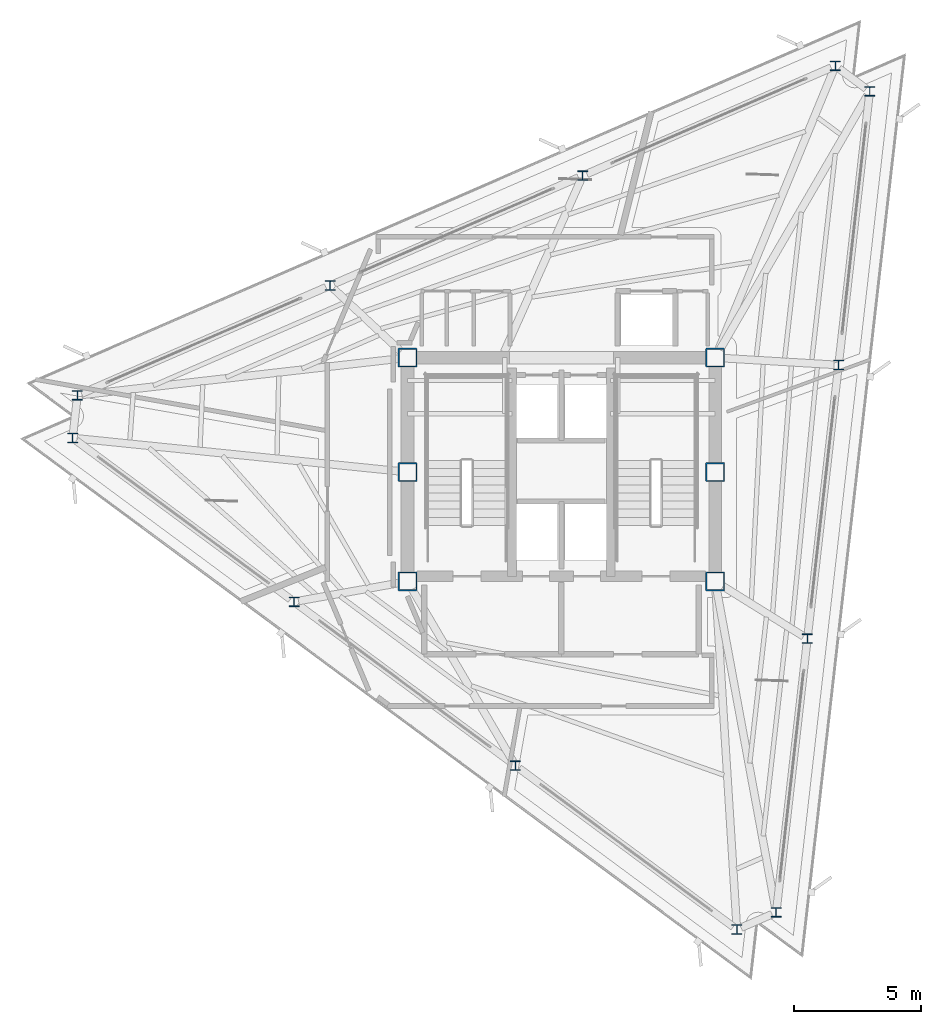
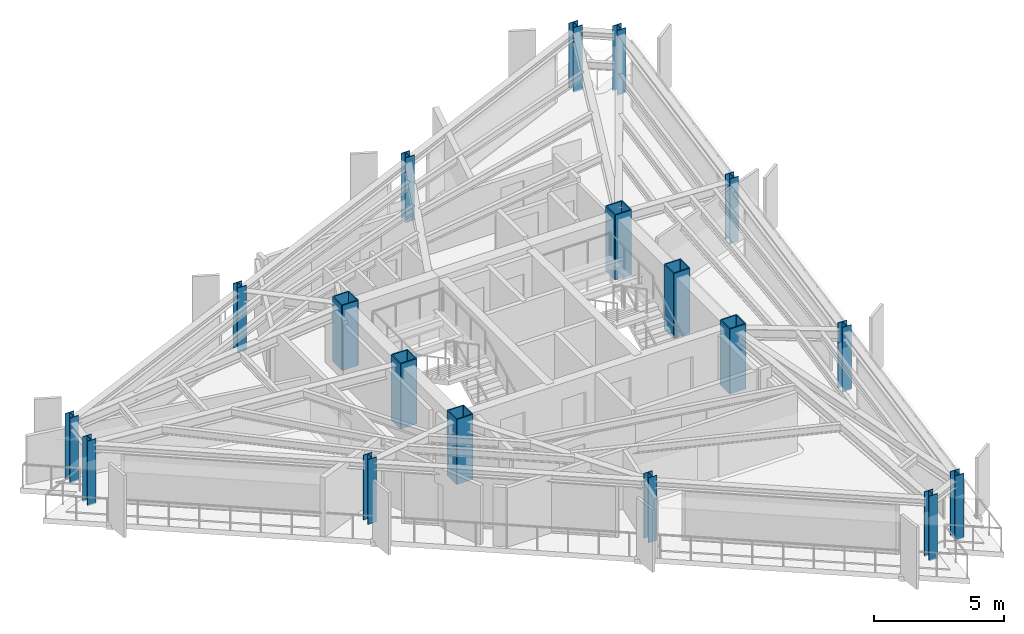
# One storey, part 1 of 10: 18 columns.
"""IFC4 building model written with IfcOpenShell, lengths in metres."""

import ifcopenshell
import ifcopenshell.guid

model = None  # the IFC model being written
_history = None  # IfcOwnerHistory: only IFC2X3 demands one
_inside = {}  # id of a spatial element -> (the spatial element, [elements in it])
_under = {}  # id of a project, library or spatial element -> (it, [spatial elements below it])
_declared = {}  # id of a project -> (the project, [libraries it declares])
_typed = {}  # id of a type object -> (the type object, [elements of that type])
_made_of = {}  # id of a material, layer set ... -> (it, [elements and type objects made of it])


def new_model(schema):
    """Start an empty IFC model of exactly this schema.

    Asked for "IFC4X3", IfcOpenShell would pick the latest addendum, in which some entities
    have other attributes; the version numbers below select the first issue.
    IFC2X3 requires an IfcOwnerHistory on every rooted entity: one is made here for all.
    """
    global model, _history
    if schema == "IFC4X3":
        model = ifcopenshell.file(schema_version=(4, 3, 0, 0))
    else:
        model = ifcopenshell.file(schema=schema)
    _inside.clear()
    _under.clear()
    _declared.clear()
    _typed.clear()
    _made_of.clear()
    _history = None
    if model.schema == "IFC2X3":
        org = make("IfcOrganization", Name="unknown")
        user = make(
            "IfcPersonAndOrganization",
            ThePerson=make("IfcPerson", FamilyName="unknown"),
            TheOrganization=org,
        )
        app = make(
            "IfcApplication",
            ApplicationDeveloper=org,
            Version="unknown",
            ApplicationFullName="unknown",
            ApplicationIdentifier="unknown",
        )
        _history = make(
            "IfcOwnerHistory",
            OwningUser=user,
            OwningApplication=app,
            ChangeAction="ADDED",
            CreationDate=0,
        )
    return model


def make(cls, **values):
    """One entity of the class cls with the attributes given. An attribute that is None is left unset."""
    return model.create_entity(
        cls, **{name: value for name, value in values.items() if value is not None}
    )


def rooted(cls, **values):
    """An entity with a GlobalId (a new one), such as an element, a storey or a relation."""
    return make(cls, GlobalId=ifcopenshell.guid.new(), OwnerHistory=_history, **values)


def si_unit(unit_type, name, prefix=None):
    """IfcSIUnit, for example si_unit("LENGTHUNIT", "METRE", prefix="MILLI")."""
    return make("IfcSIUnit", UnitType=unit_type, Prefix=prefix, Name=name)


def assignment(units):
    """IfcUnitAssignment: the units of a project."""
    return None if units is None else make("IfcUnitAssignment", Units=units)


def point(xyz):
    """IfcCartesianPoint."""
    return None if xyz is None else make("IfcCartesianPoint", Coordinates=xyz)


def direction(xyz):
    """IfcDirection."""
    return None if xyz is None else make("IfcDirection", DirectionRatios=xyz)


def frame(location, z_axis=None, x_axis=None):
    """IfcAxis2Placement3D, a coordinate frame: its origin and axes. An axis left out is left unset."""
    return make(
        "IfcAxis2Placement3D",
        Location=point(location),
        Axis=direction(z_axis),
        RefDirection=direction(x_axis),
    )


def frame_2d(location, x_axis=None):
    """IfcAxis2Placement2D, a coordinate frame in the plane: its origin and x axis."""
    return make(
        "IfcAxis2Placement2D", Location=point(location), RefDirection=direction(x_axis)
    )


def origin():
    """The frame at (0, 0, 0) with its axes left unset."""
    return frame((0.0, 0.0, 0.0))


def origin_2d():
    """The frame at (0, 0) in the plane with its x axis left unset."""
    return frame_2d((0.0, 0.0))


def place(relative_to, where):
    """IfcLocalPlacement: puts the frame where relative to a parent placement (None: the world)."""
    return make(
        "IfcLocalPlacement", PlacementRelTo=relative_to, RelativePlacement=where
    )


def context(
    kind, dimensions, precision=None, world=None, true_north=None, identifier=None
):
    """IfcGeometricRepresentationContext, for example the 3D "Model" context."""
    return make(
        "IfcGeometricRepresentationContext",
        ContextIdentifier=identifier,
        ContextType=kind,
        CoordinateSpaceDimension=dimensions,
        Precision=precision,
        WorldCoordinateSystem=world,
        TrueNorth=true_north,
    )


def subcontext(parent, identifier, kind, view, scale=None):
    """IfcGeometricRepresentationSubContext, for example "Body" below "Model"."""
    return make(
        "IfcGeometricRepresentationSubContext",
        ContextIdentifier=identifier,
        ContextType=kind,
        ParentContext=parent,
        TargetScale=scale,
        TargetView=view,
    )


def project(units=None, contexts=None):
    """IfcProject with its units and contexts."""
    return rooted(
        "IfcProject",
        Name="project",
        RepresentationContexts=contexts,
        UnitsInContext=assignment(units),
    )


def spatial(cls, under=None, at=None, **own):
    """A site, building, storey or space (cls), placed at a placement, below another one or the project."""
    s = rooted(cls, ObjectPlacement=at, **own)
    if under is not None:
        _under.setdefault(under.id(), (under, []))[1].append(s)
    return s


def profile(cls, at=None, kind="AREA", **sizes):
    """A parametric profile (cls). Its sizes go by their IFC names, for example OverallWidth=200.0."""
    return make(cls, ProfileType=kind, Position=at, **sizes)


def hollow_rectangle(**sizes):
    """IfcRectangleHollowProfileDef."""
    return profile("IfcRectangleHollowProfileDef", **sizes)


def i_section(**sizes):
    """IfcIShapeProfileDef."""
    return profile("IfcIShapeProfileDef", **sizes)


def extrude(swept, where, along, depth):
    """IfcExtrudedAreaSolid: the profile swept, set in the frame where, extruded along a direction by depth."""
    return make(
        "IfcExtrudedAreaSolid",
        SweptArea=swept,
        Position=where,
        ExtrudedDirection=direction(along),
        Depth=depth,
    )


def shape(context_of_items, identifier, shape_type, items):
    """IfcShapeRepresentation: the items that make up one representation, for example the "Body"."""
    return make(
        "IfcShapeRepresentation",
        ContextOfItems=context_of_items,
        RepresentationIdentifier=identifier,
        RepresentationType=shape_type,
        Items=items,
    )


def material(Name=None, Category=None):
    """IfcMaterial."""
    return make("IfcMaterial", Name=Name, Category=Category)


def material_profile(
    of_material, cross_section, Name=None, Category=None, Priority=None
):
    """IfcMaterialProfile: a cross section and its material."""
    return make(
        "IfcMaterialProfile",
        Name=Name,
        Material=of_material,
        Profile=cross_section,
        Priority=Priority,
        Category=Category,
    )


def profile_set(profiles, Name=None, composite=None):
    """IfcMaterialProfileSet."""
    return make(
        "IfcMaterialProfileSet",
        Name=Name,
        MaterialProfiles=profiles,
        CompositeProfile=composite,
    )


def made_of(thing, what):
    """Note that an element or type object is made of a material, layer set ...; save() writes the relation."""
    if what is not None:
        _made_of.setdefault(what.id(), (what, []))[1].append(thing)
    return thing


def type_object(cls, material=None, **own):
    """A type object (cls), such as IfcWallType, which elements share."""
    return made_of(rooted(cls, **own), material)


def element(
    cls,
    number,
    at=None,
    inside=None,
    cuts=None,
    type_object=None,
    material=None,
    context=None,
    identifier="Body",
    shape_type=None,
    held_by="IfcProductDefinitionShape",
    body=None,
    shapes=None,
    **own,
):
    """One element of the class cls, such as IfcWall. Its Tag is "e" and its number.

    at: its placement. inside: the storey or other place that contains it. cuts: it is an
    opening in that element (IfcRelVoidsElement). A single representation is given by context,
    identifier, shape_type and body (its items); several are given by shapes. held_by: the class
    of the entity that holds the representations. save() writes the other relations.
    """
    e = rooted(cls, Tag="e%d" % number, ObjectPlacement=at, **own)
    if body is not None:
        shapes = [shape(context, identifier, shape_type, body)]
    if shapes is not None:
        e.Representation = make(held_by, Representations=shapes)
    if inside is not None:
        _inside.setdefault(inside.id(), (inside, []))[1].append(e)
    if cuts is not None:
        rooted(
            "IfcRelVoidsElement", RelatingBuildingElement=cuts, RelatedOpeningElement=e
        )
    if type_object is not None:
        _typed.setdefault(type_object.id(), (type_object, []))[1].append(e)
    return made_of(e, material)


def aggregate(whole, parts):
    """IfcRelAggregates: a whole, such as a stair, and the parts it consists of."""
    return rooted("IfcRelAggregates", RelatingObject=whole, RelatedObjects=parts)


def save(model, path):
    """Write the relations noted so far, then the file.

    IfcRelAggregates (storeys below a building ...), IfcRelContainedInSpatialStructure (elements
    in a storey), IfcRelDefinesByType, IfcRelAssociatesMaterial and IfcRelDeclares: one each for
    every whole, place, type object, material and project.
    """
    for whole, parts in _under.values():
        aggregate(whole, parts)
    for where, things in _inside.values():
        rooted(
            "IfcRelContainedInSpatialStructure",
            RelatedElements=things,
            RelatingStructure=where,
        )
    for kind, things in _typed.values():
        rooted("IfcRelDefinesByType", RelatedObjects=things, RelatingType=kind)
    for what, things in _made_of.values():
        rooted("IfcRelAssociatesMaterial", RelatedObjects=things, RelatingMaterial=what)
    for by, libraries in _declared.values():
        rooted("IfcRelDeclares", RelatingContext=by, RelatedDefinitions=libraries)
    model.write(path)


model = new_model("IFC4")

# Units and contexts
model_context = context("Model", 3, precision=1e-05, world=origin(), true_north=direction((0.0, 1.0)))
body_context = subcontext(model_context, "Body", "Model", "MODEL_VIEW")
ifc_project = project(units=[si_unit("LENGTHUNIT", "METRE"), si_unit("AREAUNIT", "SQUARE_METRE"), si_unit("VOLUMEUNIT", "CUBIC_METRE"), si_unit("PLANEANGLEUNIT", "RADIAN"), si_unit("MASSUNIT", "GRAM", prefix="KILO")], contexts=[model_context])

# Site, building, storey
site_placement = place(None, origin())
site = spatial("IfcSite", under=ifc_project, at=site_placement, CompositionType="ELEMENT")
building_placement = place(site_placement, origin())
building = spatial("IfcBuilding", under=site, at=building_placement, Name="Rocaltana Carrier Exchange", CompositionType="ELEMENT")
storey_placement = place(building_placement, frame((0.0, 0.0, 217.919921875)))
storey = spatial("IfcBuildingStorey", under=building, at=storey_placement, Name="L69", CompositionType="ELEMENT", Elevation=217.919921875)

# Columns
ifc_material_1 = material(Name="Steel S460", Category="steel")
ifc_material_profile_1 = material_profile(ifc_material_1, hollow_rectangle(XDim=0.75, YDim=0.75, WallThickness=0.050048828125, InnerFilletRadius=0.02001953125, OuterFilletRadius=0.0400390625, at=origin_2d()), Name="BOX750X750X50")
ifc_profile_set_1 = profile_set([ifc_material_profile_1], Name="Steel S460")
column_type_1 = type_object("IfcColumnType", Name="Core Mega-Column BOX750", PredefinedType="COLUMN", material=ifc_profile_set_1)
for number, where, z_axis, x_axis, name in (
    (1, (-6.050048828125, 4.5, 0.0), (0.0, 0.0, 1.0), (1.0, 0.0, 0.0), "L69 Core Mega-Column MC1"),
    (2, (6.050048828125, 4.5, 0.0), (0.0, 0.0, 1.0), (1.0, 0.0, 0.0), "L69 Core Mega-Column MC2"),
    (3, (-6.050048828125, 0.0, 0.0), (0.0, 0.0, 1.0), (1.0, 0.0, 0.0), "L69 Core Mega-Column MC3"),
    (4, (6.050048828125, 0.0, 0.0), (0.0, 0.0, 1.0), (1.0, 0.0, 0.0), "L69 Core Mega-Column MC4"),
    (5, (-6.050048828125, -4.300048828125, 0.0), (0.0, 0.0, 1.0), (1.0, 0.0, 0.0), "L69 Core Mega-Column MC5"),
    (6, (6.050048828125, -4.300048828125, 0.0), (0.0, 0.0, 1.0), (1.0, 0.0, 0.0), "L69 Core Mega-Column MC6"),
):
    element("IfcColumn", number, at=place(storey_placement, frame(where, z_axis=z_axis, x_axis=x_axis)), inside=storey, type_object=column_type_1, Name=name, PredefinedType="COLUMN", context=body_context, shape_type="SweptSolid", body=[
        extrude(hollow_rectangle(XDim=0.75, YDim=0.75, WallThickness=0.050048828125, InnerFilletRadius=0.02001953125, OuterFilletRadius=0.0400390625, at=origin_2d()), origin(), (0.0, 0.0, 1.0), 3.0400390625),
    ])
ifc_material_2 = material(Name="Steel S355", Category="steel")
ifc_material_profile_2 = material_profile(ifc_material_2, i_section(OverallWidth=0.39404296875, OverallDepth=0.375, WebThickness=0.017333984375, FlangeThickness=0.027587890625, FilletRadius=0.01611328125, at=origin_2d()), Name="W14X145")
ifc_profile_set_2 = profile_set([ifc_material_profile_2], Name="Steel S355")
column_type_2 = type_object("IfcColumnType", Name="Perimeter Column W14X145", PredefinedType="COLUMN", material=ifc_profile_set_2)
for number, where, z_axis, x_axis, name in (
    (7, (8.448486328125, -17.317626953125, 0.0), (0.0, 0.0, 1.0), (1.0, 0.0, 0.0), "L69 Perimeter Column TC01"),
    (8, (9.675048828125, -6.553955078125, 0.0), (0.0, 0.0, 1.0), (1.0, 0.0, 0.0), "L69 Perimeter Column TC02"),
    (9, (10.9013671875, 4.209716796875, 0.0), (0.0, 0.0, 1.0), (1.0, 0.0, 0.0), "L69 Perimeter Column TC03"),
    (10, (12.127685546875, 14.973388671875, 0.0), (0.0, 0.0, 1.0), (1.0, 0.0, 0.0), "L69 Perimeter Column TC04"),
    (11, (10.773193359375, 15.9755859375, 0.0), (0.0, 0.0, 1.0), (1.0, 0.0, 0.0), "L69 Perimeter Column TC05"),
    (12, (0.83837890625, 11.65576171875, 0.0), (0.0, 0.0, 1.0), (1.0, 0.0, 0.0), "L69 Perimeter Column TC06"),
    (13, (-9.096435546875, 7.3359375, 0.0), (0.0, 0.0, 1.0), (1.0, 0.0, 0.0), "L69 Perimeter Column TC07"),
    (14, (-19.03125, 3.01611328125, 0.0), (0.0, 0.0, 1.0), (1.0, 0.0, 0.0), "L69 Perimeter Column TC08"),
    (15, (-19.221923828125, 1.342041015625, 0.0), (0.0, 0.0, 1.0), (1.0, 0.0, 0.0), "L69 Perimeter Column TC09"),
    (16, (-10.513427734375, -5.101806640625, 0.0), (0.0, 0.0, 1.0), (1.0, 0.0, 0.0), "L69 Perimeter Column TC10"),
    (17, (-1.804931640625, -11.545654296875, 0.0), (0.0, 0.0, 1.0), (1.0, 0.0, 0.0), "L69 Perimeter Column TC11"),
    (18, (6.9033203125, -17.989501953125, 0.0), (0.0, 0.0, 1.0), (1.0, 0.0, 0.0), "L69 Perimeter Column TC12"),
):
    element("IfcColumn", number, at=place(storey_placement, frame(where, z_axis=z_axis, x_axis=x_axis)), inside=storey, type_object=column_type_2, Name=name, PredefinedType="COLUMN", context=body_context, shape_type="SweptSolid", body=[
        extrude(i_section(OverallWidth=0.39404296875, OverallDepth=0.375, WebThickness=0.017333984375, FlangeThickness=0.027587890625, FilletRadius=0.01611328125, at=origin_2d()), origin(), (0.0, 0.0, 1.0), 3.0400390625),
    ])

save(model, "model.ifc")
